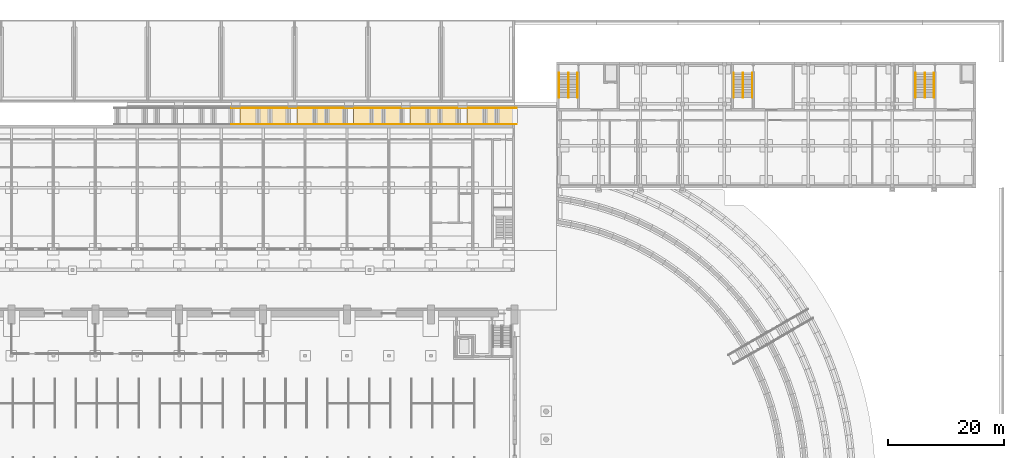
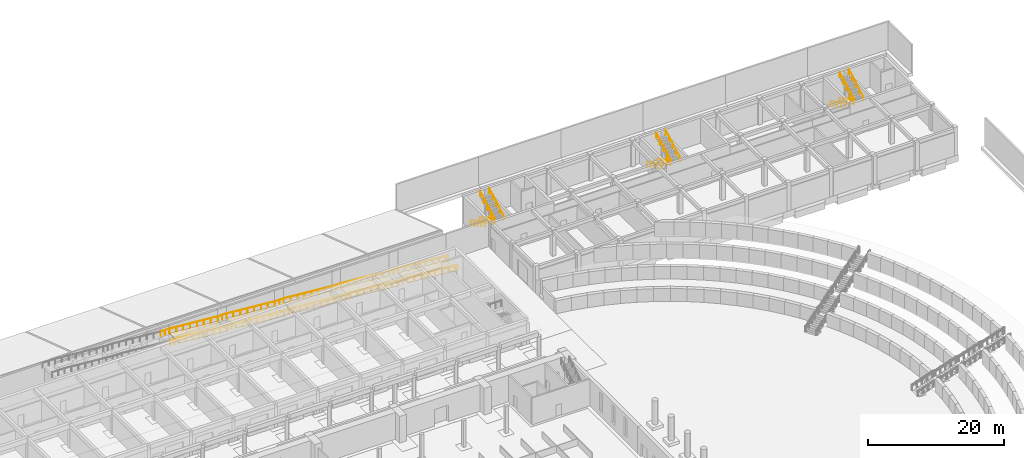
# One storey, part 72 of 73: 22 railings, 5 coverings.
"""IFC4 building model written with IfcOpenShell, lengths in metres."""

import ifcopenshell
import ifcopenshell.guid

model = None  # the IFC model being written
_history = None  # IfcOwnerHistory: only IFC2X3 demands one
_inside = {}  # id of a spatial element -> (the spatial element, [elements in it])
_under = {}  # id of a project, library or spatial element -> (it, [spatial elements below it])
_declared = {}  # id of a project -> (the project, [libraries it declares])
_typed = {}  # id of a type object -> (the type object, [elements of that type])
_made_of = {}  # id of a material, layer set ... -> (it, [elements and type objects made of it])


def new_model(schema):
    """Start an empty IFC model of exactly this schema.

    Asked for "IFC4X3", IfcOpenShell would pick the latest addendum, in which some entities
    have other attributes; the version numbers below select the first issue.
    IFC2X3 requires an IfcOwnerHistory on every rooted entity: one is made here for all.
    """
    global model, _history
    if schema == "IFC4X3":
        model = ifcopenshell.file(schema_version=(4, 3, 0, 0))
    else:
        model = ifcopenshell.file(schema=schema)
    _inside.clear()
    _under.clear()
    _declared.clear()
    _typed.clear()
    _made_of.clear()
    _history = None
    if model.schema == "IFC2X3":
        org = make("IfcOrganization", Name="unknown")
        user = make(
            "IfcPersonAndOrganization",
            ThePerson=make("IfcPerson", FamilyName="unknown"),
            TheOrganization=org,
        )
        app = make(
            "IfcApplication",
            ApplicationDeveloper=org,
            Version="unknown",
            ApplicationFullName="unknown",
            ApplicationIdentifier="unknown",
        )
        _history = make(
            "IfcOwnerHistory",
            OwningUser=user,
            OwningApplication=app,
            ChangeAction="ADDED",
            CreationDate=0,
        )
    return model


def make(cls, **values):
    """One entity of the class cls with the attributes given. An attribute that is None is left unset."""
    return model.create_entity(
        cls, **{name: value for name, value in values.items() if value is not None}
    )


def rooted(cls, **values):
    """An entity with a GlobalId (a new one), such as an element, a storey or a relation."""
    return make(cls, GlobalId=ifcopenshell.guid.new(), OwnerHistory=_history, **values)


def si_unit(unit_type, name, prefix=None):
    """IfcSIUnit, for example si_unit("LENGTHUNIT", "METRE", prefix="MILLI")."""
    return make("IfcSIUnit", UnitType=unit_type, Prefix=prefix, Name=name)


def assignment(units):
    """IfcUnitAssignment: the units of a project."""
    return None if units is None else make("IfcUnitAssignment", Units=units)


def point(xyz):
    """IfcCartesianPoint."""
    return None if xyz is None else make("IfcCartesianPoint", Coordinates=xyz)


def direction(xyz):
    """IfcDirection."""
    return None if xyz is None else make("IfcDirection", DirectionRatios=xyz)


def frame(location, z_axis=None, x_axis=None):
    """IfcAxis2Placement3D, a coordinate frame: its origin and axes. An axis left out is left unset."""
    return make(
        "IfcAxis2Placement3D",
        Location=point(location),
        Axis=direction(z_axis),
        RefDirection=direction(x_axis),
    )


def frame_2d(location, x_axis=None):
    """IfcAxis2Placement2D, a coordinate frame in the plane: its origin and x axis."""
    return make(
        "IfcAxis2Placement2D", Location=point(location), RefDirection=direction(x_axis)
    )


def origin():
    """The frame at (0, 0, 0) with its axes left unset."""
    return frame((0.0, 0.0, 0.0))


def origin_2d():
    """The frame at (0, 0) in the plane with its x axis left unset."""
    return frame_2d((0.0, 0.0))


def place(relative_to, where):
    """IfcLocalPlacement: puts the frame where relative to a parent placement (None: the world)."""
    return make(
        "IfcLocalPlacement", PlacementRelTo=relative_to, RelativePlacement=where
    )


def context(
    kind, dimensions, precision=None, world=None, true_north=None, identifier=None
):
    """IfcGeometricRepresentationContext, for example the 3D "Model" context."""
    return make(
        "IfcGeometricRepresentationContext",
        ContextIdentifier=identifier,
        ContextType=kind,
        CoordinateSpaceDimension=dimensions,
        Precision=precision,
        WorldCoordinateSystem=world,
        TrueNorth=true_north,
    )


def subcontext(parent, identifier, kind, view, scale=None):
    """IfcGeometricRepresentationSubContext, for example "Body" below "Model"."""
    return make(
        "IfcGeometricRepresentationSubContext",
        ContextIdentifier=identifier,
        ContextType=kind,
        ParentContext=parent,
        TargetScale=scale,
        TargetView=view,
    )


def project(units=None, contexts=None):
    """IfcProject with its units and contexts."""
    return rooted(
        "IfcProject",
        Name="project",
        RepresentationContexts=contexts,
        UnitsInContext=assignment(units),
    )


def spatial(cls, under=None, at=None, **own):
    """A site, building, storey or space (cls), placed at a placement, below another one or the project."""
    s = rooted(cls, ObjectPlacement=at, **own)
    if under is not None:
        _under.setdefault(under.id(), (under, []))[1].append(s)
    return s


def polyline(points):
    """IfcPolyline through the points."""
    return make("IfcPolyline", Points=[point(p) for p in points])


def profile(cls, at=None, kind="AREA", **sizes):
    """A parametric profile (cls). Its sizes go by their IFC names, for example OverallWidth=200.0."""
    return make(cls, ProfileType=kind, Position=at, **sizes)


def circle(**sizes):
    """IfcCircleProfileDef."""
    return profile("IfcCircleProfileDef", **sizes)


def outline(outer, holes=None, kind="AREA"):
    """IfcArbitraryClosedProfileDef: a profile drawn as a closed curve; with holes, ...WithVoids."""
    if holes is None:
        return make("IfcArbitraryClosedProfileDef", ProfileType=kind, OuterCurve=outer)
    return make(
        "IfcArbitraryProfileDefWithVoids",
        ProfileType=kind,
        OuterCurve=outer,
        InnerCurves=holes,
    )


def extrude(swept, where, along, depth):
    """IfcExtrudedAreaSolid: the profile swept, set in the frame where, extruded along a direction by depth."""
    return make(
        "IfcExtrudedAreaSolid",
        SweptArea=swept,
        Position=where,
        ExtrudedDirection=direction(along),
        Depth=depth,
    )


def shape(context_of_items, identifier, shape_type, items):
    """IfcShapeRepresentation: the items that make up one representation, for example the "Body"."""
    return make(
        "IfcShapeRepresentation",
        ContextOfItems=context_of_items,
        RepresentationIdentifier=identifier,
        RepresentationType=shape_type,
        Items=items,
    )


def material(Name=None, Category=None):
    """IfcMaterial."""
    return make("IfcMaterial", Name=Name, Category=Category)


def layer(
    of_material, thickness, ventilated=None, Name=None, Category=None, Priority=None
):
    """IfcMaterialLayer: one layer of a wall or slab, of a material (None: an air gap)."""
    return make(
        "IfcMaterialLayer",
        Material=of_material,
        LayerThickness=thickness,
        IsVentilated=ventilated,
        Name=Name,
        Category=Category,
        Priority=Priority,
    )


def layer_set(layers, Name=None):
    """IfcMaterialLayerSet."""
    return make("IfcMaterialLayerSet", MaterialLayers=layers, LayerSetName=Name)


def made_of(thing, what):
    """Note that an element or type object is made of a material, layer set ...; save() writes the relation."""
    if what is not None:
        _made_of.setdefault(what.id(), (what, []))[1].append(thing)
    return thing


def type_object(cls, material=None, **own):
    """A type object (cls), such as IfcWallType, which elements share."""
    return made_of(rooted(cls, **own), material)


def element(
    cls,
    number,
    at=None,
    inside=None,
    cuts=None,
    type_object=None,
    material=None,
    context=None,
    identifier="Body",
    shape_type=None,
    held_by="IfcProductDefinitionShape",
    body=None,
    shapes=None,
    **own,
):
    """One element of the class cls, such as IfcWall. Its Tag is "e" and its number.

    at: its placement. inside: the storey or other place that contains it. cuts: it is an
    opening in that element (IfcRelVoidsElement). A single representation is given by context,
    identifier, shape_type and body (its items); several are given by shapes. held_by: the class
    of the entity that holds the representations. save() writes the other relations.
    """
    e = rooted(cls, Tag="e%d" % number, ObjectPlacement=at, **own)
    if body is not None:
        shapes = [shape(context, identifier, shape_type, body)]
    if shapes is not None:
        e.Representation = make(held_by, Representations=shapes)
    if inside is not None:
        _inside.setdefault(inside.id(), (inside, []))[1].append(e)
    if cuts is not None:
        rooted(
            "IfcRelVoidsElement", RelatingBuildingElement=cuts, RelatedOpeningElement=e
        )
    if type_object is not None:
        _typed.setdefault(type_object.id(), (type_object, []))[1].append(e)
    return made_of(e, material)


def aggregate(whole, parts):
    """IfcRelAggregates: a whole, such as a stair, and the parts it consists of."""
    return rooted("IfcRelAggregates", RelatingObject=whole, RelatedObjects=parts)


def save(model, path):
    """Write the relations noted so far, then the file.

    IfcRelAggregates (storeys below a building ...), IfcRelContainedInSpatialStructure (elements
    in a storey), IfcRelDefinesByType, IfcRelAssociatesMaterial and IfcRelDeclares: one each for
    every whole, place, type object, material and project.
    """
    for whole, parts in _under.values():
        aggregate(whole, parts)
    for where, things in _inside.values():
        rooted(
            "IfcRelContainedInSpatialStructure",
            RelatedElements=things,
            RelatingStructure=where,
        )
    for kind, things in _typed.values():
        rooted("IfcRelDefinesByType", RelatedObjects=things, RelatingType=kind)
    for what, things in _made_of.values():
        rooted("IfcRelAssociatesMaterial", RelatedObjects=things, RelatingMaterial=what)
    for by, libraries in _declared.values():
        rooted("IfcRelDeclares", RelatingContext=by, RelatedDefinitions=libraries)
    model.write(path)


model = new_model("IFC4")

# Units and contexts
model_context = context("Model", 3, precision=1e-05, world=origin(), true_north=direction((0.0, 1.0)))
body_context = subcontext(model_context, "Body", "Model", "MODEL_VIEW")
ifc_project = project(units=[si_unit("LENGTHUNIT", "METRE"), si_unit("AREAUNIT", "SQUARE_METRE"), si_unit("VOLUMEUNIT", "CUBIC_METRE"), si_unit("PLANEANGLEUNIT", "RADIAN"), si_unit("MASSUNIT", "GRAM", prefix="KILO")], contexts=[model_context])

# Site, building, storey
site_placement = place(None, origin())
site = spatial("IfcSite", under=ifc_project, at=site_placement, CompositionType="ELEMENT")
building_placement = place(site_placement, origin())
building = spatial("IfcBuilding", under=site, at=building_placement, Name="Alderwick Market Hall", CompositionType="ELEMENT")
storey_placement = place(building_placement, origin())
storey = spatial("IfcBuildingStorey", under=building, at=storey_placement, Name="LG", CompositionType="ELEMENT", Elevation=0.0)

# Railings
ifc_material_1 = material(Name="Steel ASTM A500 Grade C", Category="steel")
railing_type_1 = type_object("IfcRailingType", Name="F Stair Handrail 900", PredefinedType="HANDRAIL", material=ifc_material_1)
for number, where, name in (
    (1, (158.820068359375, 149.300048828125, 0.14990234375), "F.rail.LG.A.1"),
    (2, (160.3798828125, 149.300048828125, 0.14990234375), "F.rail.LG.A.2"),
):
    element("IfcRailing", number, at=place(storey_placement, frame(where)), inside=storey, type_object=railing_type_1, Name=name, PredefinedType="HANDRAIL", context=body_context, shape_type="SweptSolid", body=[
        extrude(circle(Radius=0.02392578125, at=origin_2d()), frame((0.0, 0.0, 0.8759765625), z_axis=(0.0, -0.881477684796, 0.472225678258), x_axis=(1.0, 0.0, 0.0)), (0.0, 0.0, 1.0), 4.7646484375),
        extrude(circle(Radius=0.02099609375, at=origin_2d()), origin(), (0.0, 0.0, 1.0), 0.851806640625),
        extrude(circle(Radius=0.02099609375, at=origin_2d()), frame((0.0, -1.050048828125, 0.5625)), (0.0, 0.0, 1.0), 0.851806640625),
        extrude(circle(Radius=0.02099609375, at=origin_2d()), frame((0.0, -2.10009765625, 1.125)), (0.0, 0.0, 1.0), 0.851806640625),
        extrude(circle(Radius=0.02099609375, at=origin_2d()), frame((0.0, -3.14990234375, 1.6875)), (0.0, 0.0, 1.0), 0.851806640625),
        extrude(circle(Radius=0.02099609375, at=origin_2d()), frame((0.0, -4.199951171875, 2.25)), (0.0, 0.0, 1.0), 0.851806640625),
    ])
for number, where, name in (
    (3, (160.419921875, 145.10009765625, 2.550048828125), "F.rail.LG.A.3"),
    (4, (161.97998046875, 145.10009765625, 2.550048828125), "F.rail.LG.A.4"),
):
    element("IfcRailing", number, at=place(storey_placement, frame(where)), inside=storey, type_object=railing_type_1, Name=name, PredefinedType="HANDRAIL", context=body_context, shape_type="SweptSolid", body=[
        extrude(circle(Radius=0.02392578125, at=origin_2d()), frame((0.0, 0.0, 0.8759765625), z_axis=(0.0, 0.881477684796, 0.472225678258), x_axis=(-1.0, 0.0, 0.0)), (0.0, 0.0, 1.0), 4.7646484375),
        extrude(circle(Radius=0.02099609375, at=origin_2d()), origin(), (0.0, 0.0, 1.0), 0.851806640625),
        extrude(circle(Radius=0.02099609375, at=origin_2d()), frame((0.0, 1.050048828125, 0.5625)), (0.0, 0.0, 1.0), 0.851806640625),
        extrude(circle(Radius=0.02099609375, at=origin_2d()), frame((0.0, 2.10009765625, 1.125)), (0.0, 0.0, 1.0), 0.851806640625),
        extrude(circle(Radius=0.02099609375, at=origin_2d()), frame((0.0, 3.14990234375, 1.6875)), (0.0, 0.0, 1.0), 0.851806640625),
        extrude(circle(Radius=0.02099609375, at=origin_2d()), frame((0.0, 4.199951171875, 2.25)), (0.0, 0.0, 1.0), 0.851806640625),
    ])
for number, where, name in (
    (5, (188.820068359375, 149.300048828125, 0.14990234375), "F.rail.LG.B.1"),
    (6, (190.3798828125, 149.300048828125, 0.14990234375), "F.rail.LG.B.2"),
):
    element("IfcRailing", number, at=place(storey_placement, frame(where)), inside=storey, type_object=railing_type_1, Name=name, PredefinedType="HANDRAIL", context=body_context, shape_type="SweptSolid", body=[
        extrude(circle(Radius=0.02392578125, at=origin_2d()), frame((0.0, 0.0, 0.8759765625), z_axis=(0.0, -0.881477684796, 0.472225678258), x_axis=(1.0, 0.0, 0.0)), (0.0, 0.0, 1.0), 4.7646484375),
        extrude(circle(Radius=0.02099609375, at=origin_2d()), origin(), (0.0, 0.0, 1.0), 0.851806640625),
        extrude(circle(Radius=0.02099609375, at=origin_2d()), frame((0.0, -1.050048828125, 0.5625)), (0.0, 0.0, 1.0), 0.851806640625),
        extrude(circle(Radius=0.02099609375, at=origin_2d()), frame((0.0, -2.10009765625, 1.125)), (0.0, 0.0, 1.0), 0.851806640625),
        extrude(circle(Radius=0.02099609375, at=origin_2d()), frame((0.0, -3.14990234375, 1.6875)), (0.0, 0.0, 1.0), 0.851806640625),
        extrude(circle(Radius=0.02099609375, at=origin_2d()), frame((0.0, -4.199951171875, 2.25)), (0.0, 0.0, 1.0), 0.851806640625),
    ])
for number, where, name in (
    (7, (190.419921875, 145.10009765625, 2.550048828125), "F.rail.LG.B.3"),
    (8, (191.97998046875, 145.10009765625, 2.550048828125), "F.rail.LG.B.4"),
):
    element("IfcRailing", number, at=place(storey_placement, frame(where)), inside=storey, type_object=railing_type_1, Name=name, PredefinedType="HANDRAIL", context=body_context, shape_type="SweptSolid", body=[
        extrude(circle(Radius=0.02392578125, at=origin_2d()), frame((0.0, 0.0, 0.8759765625), z_axis=(0.0, 0.881477684796, 0.472225678258), x_axis=(-1.0, 0.0, 0.0)), (0.0, 0.0, 1.0), 4.7646484375),
        extrude(circle(Radius=0.02099609375, at=origin_2d()), origin(), (0.0, 0.0, 1.0), 0.851806640625),
        extrude(circle(Radius=0.02099609375, at=origin_2d()), frame((0.0, 1.050048828125, 0.5625)), (0.0, 0.0, 1.0), 0.851806640625),
        extrude(circle(Radius=0.02099609375, at=origin_2d()), frame((0.0, 2.10009765625, 1.125)), (0.0, 0.0, 1.0), 0.851806640625),
        extrude(circle(Radius=0.02099609375, at=origin_2d()), frame((0.0, 3.14990234375, 1.6875)), (0.0, 0.0, 1.0), 0.851806640625),
        extrude(circle(Radius=0.02099609375, at=origin_2d()), frame((0.0, 4.199951171875, 2.25)), (0.0, 0.0, 1.0), 0.851806640625),
    ])
for number, where, name in (
    (9, (220.02001953125, 149.300048828125, 0.14990234375), "F.rail.LG.C.1"),
    (10, (221.580078125, 149.300048828125, 0.14990234375), "F.rail.LG.C.2"),
):
    element("IfcRailing", number, at=place(storey_placement, frame(where)), inside=storey, type_object=railing_type_1, Name=name, PredefinedType="HANDRAIL", context=body_context, shape_type="SweptSolid", body=[
        extrude(circle(Radius=0.02392578125, at=origin_2d()), frame((0.0, 0.0, 0.8759765625), z_axis=(0.0, -0.881477684796, 0.472225678258), x_axis=(1.0, 0.0, 0.0)), (0.0, 0.0, 1.0), 4.7646484375),
        extrude(circle(Radius=0.02099609375, at=origin_2d()), origin(), (0.0, 0.0, 1.0), 0.851806640625),
        extrude(circle(Radius=0.02099609375, at=origin_2d()), frame((0.0, -1.050048828125, 0.5625)), (0.0, 0.0, 1.0), 0.851806640625),
        extrude(circle(Radius=0.02099609375, at=origin_2d()), frame((0.0, -2.10009765625, 1.125)), (0.0, 0.0, 1.0), 0.851806640625),
        extrude(circle(Radius=0.02099609375, at=origin_2d()), frame((0.0, -3.14990234375, 1.6875)), (0.0, 0.0, 1.0), 0.851806640625),
        extrude(circle(Radius=0.02099609375, at=origin_2d()), frame((0.0, -4.199951171875, 2.25)), (0.0, 0.0, 1.0), 0.851806640625),
    ])
for number, where, name in (
    (11, (221.6201171875, 145.10009765625, 2.550048828125), "F.rail.LG.C.3"),
    (12, (223.179931640625, 145.10009765625, 2.550048828125), "F.rail.LG.C.4"),
):
    element("IfcRailing", number, at=place(storey_placement, frame(where)), inside=storey, type_object=railing_type_1, Name=name, PredefinedType="HANDRAIL", context=body_context, shape_type="SweptSolid", body=[
        extrude(circle(Radius=0.02392578125, at=origin_2d()), frame((0.0, 0.0, 0.8759765625), z_axis=(0.0, 0.881477684796, 0.472225678258), x_axis=(-1.0, 0.0, 0.0)), (0.0, 0.0, 1.0), 4.7646484375),
        extrude(circle(Radius=0.02099609375, at=origin_2d()), origin(), (0.0, 0.0, 1.0), 0.851806640625),
        extrude(circle(Radius=0.02099609375, at=origin_2d()), frame((0.0, 1.050048828125, 0.5625)), (0.0, 0.0, 1.0), 0.851806640625),
        extrude(circle(Radius=0.02099609375, at=origin_2d()), frame((0.0, 2.10009765625, 1.125)), (0.0, 0.0, 1.0), 0.851806640625),
        extrude(circle(Radius=0.02099609375, at=origin_2d()), frame((0.0, 3.14990234375, 1.6875)), (0.0, 0.0, 1.0), 0.851806640625),
        extrude(circle(Radius=0.02099609375, at=origin_2d()), frame((0.0, 4.199951171875, 2.25)), (0.0, 0.0, 1.0), 0.851806640625),
    ])
railing_type_2 = type_object("IfcRailingType", Name="S Handrail 900", PredefinedType="HANDRAIL", material=ifc_material_1)
railing_1_placement = place(storey_placement, frame((151.5048828125, 143.300048828125, 0.030029296875)))
element("IfcRailing", 13, at=railing_1_placement, inside=storey, type_object=railing_type_2, Name="Ramp N1 handrail L", PredefinedType="HANDRAIL", context=body_context, shape_type="SweptSolid", body=[
    extrude(circle(Radius=0.02490234375, at=origin_2d()), frame((0.0, 0.0, 0.875), z_axis=(-1.0, 0.0, 0.0), x_axis=(0.0, -1.0, 0.0)), (0.0, 0.0, 1.0), 0.304931640625),
    extrude(circle(Radius=0.02490234375, at=origin_2d()), frame((-0.304931640625, 0.0, 0.875), z_axis=(-0.996545350429, 0.0, 0.083050373505), x_axis=(0.0, -1.0, 0.0)), (0.0, 0.0, 1.0), 8.257568359375),
    extrude(circle(Radius=0.02490234375, at=origin_2d()), frame((-8.533935546875, 0.0, 1.560546875), z_axis=(-1.0, 0.0, 0.0), x_axis=(0.0, -1.0, 0.0)), (0.0, 0.0, 1.0), 1.5),
    extrude(circle(Radius=0.02001953125, at=origin_2d()), origin(), (0.0, 0.0, 1.0), 0.849853515625),
    extrude(circle(Radius=0.02001953125, at=origin_2d()), frame((-0.304931640625, 0.0, 0.0)), (0.0, 0.0, 1.0), 0.849853515625),
    extrude(circle(Radius=0.02001953125, at=origin_2d()), frame((-1.48046875, 0.0, 0.097900390625)), (0.0, 0.0, 1.0), 0.849853515625),
    extrude(circle(Radius=0.02001953125, at=origin_2d()), frame((-2.656005859375, 0.0, 0.196044921875)), (0.0, 0.0, 1.0), 0.849853515625),
    extrude(circle(Radius=0.02001953125, at=origin_2d()), frame((-3.83154296875, 0.0, 0.2939453125)), (0.0, 0.0, 1.0), 0.849853515625),
    extrude(circle(Radius=0.02001953125, at=origin_2d()), frame((-5.00732421875, 0.0, 0.391845703125)), (0.0, 0.0, 1.0), 0.849853515625),
    extrude(circle(Radius=0.02001953125, at=origin_2d()), frame((-6.182861328125, 0.0, 0.48974609375)), (0.0, 0.0, 1.0), 0.849853515625),
    extrude(circle(Radius=0.02001953125, at=origin_2d()), frame((-7.3583984375, 0.0, 0.587890625)), (0.0, 0.0, 1.0), 0.849853515625),
    extrude(circle(Radius=0.02001953125, at=origin_2d()), frame((-8.533935546875, 0.0, 0.685791015625)), (0.0, 0.0, 1.0), 0.849853515625),
    extrude(circle(Radius=0.02001953125, at=origin_2d()), frame((-9.283935546875, 0.0, 0.685791015625)), (0.0, 0.0, 1.0), 0.849853515625),
    extrude(circle(Radius=0.02001953125, at=origin_2d()), frame((-10.033935546875, 0.0, 0.685791015625)), (0.0, 0.0, 1.0), 0.849853515625),
])
railing_2_placement = place(storey_placement, frame((151.5048828125, 140.5, 0.030029296875)))
element("IfcRailing", 14, at=railing_2_placement, inside=storey, type_object=railing_type_2, Name="Ramp N1 handrail R", PredefinedType="HANDRAIL", context=body_context, shape_type="SweptSolid", body=[
    extrude(circle(Radius=0.02490234375, at=origin_2d()), frame((0.0, 0.0, 0.875), z_axis=(-1.0, 0.0, 0.0), x_axis=(0.0, -1.0, 0.0)), (0.0, 0.0, 1.0), 0.304931640625),
    extrude(circle(Radius=0.02490234375, at=origin_2d()), frame((-0.304931640625, 0.0, 0.875), z_axis=(-0.996545350429, 0.0, 0.083050373505), x_axis=(0.0, -1.0, 0.0)), (0.0, 0.0, 1.0), 8.257568359375),
    extrude(circle(Radius=0.02490234375, at=origin_2d()), frame((-8.533935546875, 0.0, 1.560546875), z_axis=(-1.0, 0.0, 0.0), x_axis=(0.0, -1.0, 0.0)), (0.0, 0.0, 1.0), 1.5),
    extrude(circle(Radius=0.02001953125, at=origin_2d()), origin(), (0.0, 0.0, 1.0), 0.849853515625),
    extrude(circle(Radius=0.02001953125, at=origin_2d()), frame((-0.304931640625, 0.0, 0.0)), (0.0, 0.0, 1.0), 0.849853515625),
    extrude(circle(Radius=0.02001953125, at=origin_2d()), frame((-1.48046875, 0.0, 0.097900390625)), (0.0, 0.0, 1.0), 0.849853515625),
    extrude(circle(Radius=0.02001953125, at=origin_2d()), frame((-2.656005859375, 0.0, 0.196044921875)), (0.0, 0.0, 1.0), 0.849853515625),
    extrude(circle(Radius=0.02001953125, at=origin_2d()), frame((-3.83154296875, 0.0, 0.2939453125)), (0.0, 0.0, 1.0), 0.849853515625),
    extrude(circle(Radius=0.02001953125, at=origin_2d()), frame((-5.00732421875, 0.0, 0.391845703125)), (0.0, 0.0, 1.0), 0.849853515625),
    extrude(circle(Radius=0.02001953125, at=origin_2d()), frame((-6.182861328125, 0.0, 0.48974609375)), (0.0, 0.0, 1.0), 0.849853515625),
    extrude(circle(Radius=0.02001953125, at=origin_2d()), frame((-7.3583984375, 0.0, 0.587890625)), (0.0, 0.0, 1.0), 0.849853515625),
    extrude(circle(Radius=0.02001953125, at=origin_2d()), frame((-8.533935546875, 0.0, 0.685791015625)), (0.0, 0.0, 1.0), 0.849853515625),
    extrude(circle(Radius=0.02001953125, at=origin_2d()), frame((-9.283935546875, 0.0, 0.685791015625)), (0.0, 0.0, 1.0), 0.849853515625),
    extrude(circle(Radius=0.02001953125, at=origin_2d()), frame((-10.033935546875, 0.0, 0.685791015625)), (0.0, 0.0, 1.0), 0.849853515625),
])
for number, where, name in (
    (15, (141.470947265625, 143.300048828125, 0.7158203125), "Ramp N2 handrail L"),
    (16, (141.470947265625, 140.5, 0.7158203125), "Ramp N2 handrail R"),
):
    element("IfcRailing", number, at=place(storey_placement, frame(where)), inside=storey, type_object=railing_type_2, Name=name, PredefinedType="HANDRAIL", context=body_context, shape_type="SweptSolid", body=[
        extrude(circle(Radius=0.02490234375, at=origin_2d()), frame((0.0, 0.0, 0.875), z_axis=(-0.996546981697, 0.0, 0.083030797122), x_axis=(0.0, -1.0, 0.0)), (0.0, 0.0, 1.0), 8.256591796875),
        extrude(circle(Radius=0.02490234375, at=origin_2d()), frame((-8.22802734375, 0.0, 1.560546875), z_axis=(-1.0, 0.0, 0.0), x_axis=(0.0, -1.0, 0.0)), (0.0, 0.0, 1.0), 1.5),
        extrude(circle(Radius=0.02001953125, at=origin_2d()), origin(), (0.0, 0.0, 1.0), 0.849853515625),
        extrude(circle(Radius=0.02001953125, at=origin_2d()), frame((-1.175537109375, 0.0, 0.097900390625)), (0.0, 0.0, 1.0), 0.849853515625),
        extrude(circle(Radius=0.02001953125, at=origin_2d()), frame((-2.350830078125, 0.0, 0.19580078125)), (0.0, 0.0, 1.0), 0.849853515625),
        extrude(circle(Radius=0.02001953125, at=origin_2d()), frame((-3.5263671875, 0.0, 0.293701171875)), (0.0, 0.0, 1.0), 0.849853515625),
        extrude(circle(Radius=0.02001953125, at=origin_2d()), frame((-4.70166015625, 0.0, 0.391845703125)), (0.0, 0.0, 1.0), 0.849853515625),
        extrude(circle(Radius=0.02001953125, at=origin_2d()), frame((-5.877197265625, 0.0, 0.48974609375)), (0.0, 0.0, 1.0), 0.849853515625),
        extrude(circle(Radius=0.02001953125, at=origin_2d()), frame((-7.052490234375, 0.0, 0.587646484375)), (0.0, 0.0, 1.0), 0.849853515625),
        extrude(circle(Radius=0.02001953125, at=origin_2d()), frame((-8.22802734375, 0.0, 0.685546875)), (0.0, 0.0, 1.0), 0.849853515625),
        extrude(circle(Radius=0.02001953125, at=origin_2d()), frame((-8.97802734375, 0.0, 0.685546875)), (0.0, 0.0, 1.0), 0.849853515625),
        extrude(circle(Radius=0.02001953125, at=origin_2d()), frame((-9.72802734375, 0.0, 0.685546875)), (0.0, 0.0, 1.0), 0.849853515625),
    ])
for number, where, name in (
    (17, (131.742919921875, 143.300048828125, 1.4013671875), "Ramp N3 handrail L"),
    (18, (131.742919921875, 140.5, 1.4013671875), "Ramp N3 handrail R"),
):
    element("IfcRailing", number, at=place(storey_placement, frame(where)), inside=storey, type_object=railing_type_2, Name=name, PredefinedType="HANDRAIL", context=body_context, shape_type="SweptSolid", body=[
        extrude(circle(Radius=0.02490234375, at=origin_2d()), frame((0.0, 0.0, 0.875), z_axis=(-0.996545350429, 0.0, 0.083050373505), x_axis=(0.0, -1.0, 0.0)), (0.0, 0.0, 1.0), 8.257568359375),
        extrude(circle(Radius=0.02490234375, at=origin_2d()), frame((-8.22900390625, 0.0, 1.560546875), z_axis=(-1.0, 0.0, 0.0), x_axis=(0.0, -1.0, 0.0)), (0.0, 0.0, 1.0), 1.5),
        extrude(circle(Radius=0.02001953125, at=origin_2d()), origin(), (0.0, 0.0, 1.0), 0.849853515625),
        extrude(circle(Radius=0.02001953125, at=origin_2d()), frame((-1.175537109375, 0.0, 0.097900390625)), (0.0, 0.0, 1.0), 0.849853515625),
        extrude(circle(Radius=0.02001953125, at=origin_2d()), frame((-2.35107421875, 0.0, 0.196044921875)), (0.0, 0.0, 1.0), 0.849853515625),
        extrude(circle(Radius=0.02001953125, at=origin_2d()), frame((-3.526611328125, 0.0, 0.2939453125)), (0.0, 0.0, 1.0), 0.849853515625),
        extrude(circle(Radius=0.02001953125, at=origin_2d()), frame((-4.702392578125, 0.0, 0.391845703125)), (0.0, 0.0, 1.0), 0.849853515625),
        extrude(circle(Radius=0.02001953125, at=origin_2d()), frame((-5.8779296875, 0.0, 0.48974609375)), (0.0, 0.0, 1.0), 0.849853515625),
        extrude(circle(Radius=0.02001953125, at=origin_2d()), frame((-7.053466796875, 0.0, 0.587890625)), (0.0, 0.0, 1.0), 0.849853515625),
        extrude(circle(Radius=0.02001953125, at=origin_2d()), frame((-8.22900390625, 0.0, 0.685791015625)), (0.0, 0.0, 1.0), 0.849853515625),
        extrude(circle(Radius=0.02001953125, at=origin_2d()), frame((-8.97900390625, 0.0, 0.685791015625)), (0.0, 0.0, 1.0), 0.849853515625),
        extrude(circle(Radius=0.02001953125, at=origin_2d()), frame((-9.72900390625, 0.0, 0.685791015625)), (0.0, 0.0, 1.0), 0.849853515625),
    ])
for number, where, name in (
    (19, (122.013916015625, 143.300048828125, 2.087158203125), "Ramp N4 handrail L"),
    (20, (122.013916015625, 140.5, 2.087158203125), "Ramp N4 handrail R"),
):
    element("IfcRailing", number, at=place(storey_placement, frame(where)), inside=storey, type_object=railing_type_2, Name=name, PredefinedType="HANDRAIL", context=body_context, shape_type="SweptSolid", body=[
        extrude(circle(Radius=0.02490234375, at=origin_2d()), frame((0.0, 0.0, 0.875), z_axis=(-0.996544534579, 0.0, 0.083060162531), x_axis=(0.0, -1.0, 0.0)), (0.0, 0.0, 1.0), 8.256591796875),
        extrude(circle(Radius=0.02490234375, at=origin_2d()), frame((-8.22802734375, 0.0, 1.560546875), z_axis=(-1.0, 0.0, 0.0), x_axis=(0.0, -1.0, 0.0)), (0.0, 0.0, 1.0), 1.5),
        extrude(circle(Radius=0.02001953125, at=origin_2d()), origin(), (0.0, 0.0, 1.0), 0.849853515625),
        extrude(circle(Radius=0.02001953125, at=origin_2d()), frame((-1.175537109375, 0.0, 0.097900390625)), (0.0, 0.0, 1.0), 0.849853515625),
        extrude(circle(Radius=0.02001953125, at=origin_2d()), frame((-2.350830078125, 0.0, 0.196044921875)), (0.0, 0.0, 1.0), 0.849853515625),
        extrude(circle(Radius=0.02001953125, at=origin_2d()), frame((-3.5263671875, 0.0, 0.2939453125)), (0.0, 0.0, 1.0), 0.849853515625),
        extrude(circle(Radius=0.02001953125, at=origin_2d()), frame((-4.70166015625, 0.0, 0.391845703125)), (0.0, 0.0, 1.0), 0.849853515625),
        extrude(circle(Radius=0.02001953125, at=origin_2d()), frame((-5.877197265625, 0.0, 0.48974609375)), (0.0, 0.0, 1.0), 0.849853515625),
        extrude(circle(Radius=0.02001953125, at=origin_2d()), frame((-7.052490234375, 0.0, 0.587890625)), (0.0, 0.0, 1.0), 0.849853515625),
        extrude(circle(Radius=0.02001953125, at=origin_2d()), frame((-8.22802734375, 0.0, 0.685791015625)), (0.0, 0.0, 1.0), 0.849853515625),
        extrude(circle(Radius=0.02001953125, at=origin_2d()), frame((-8.97802734375, 0.0, 0.685791015625)), (0.0, 0.0, 1.0), 0.849853515625),
        extrude(circle(Radius=0.02001953125, at=origin_2d()), frame((-9.72802734375, 0.0, 0.685791015625)), (0.0, 0.0, 1.0), 0.849853515625),
    ])
for number, where, name in (
    (21, (112.285888671875, 143.300048828125, 2.77294921875), "Ramp N5 handrail L"),
    (22, (112.285888671875, 140.5, 2.77294921875), "Ramp N5 handrail R"),
):
    element("IfcRailing", number, at=place(storey_placement, frame(where)), inside=storey, type_object=railing_type_2, Name=name, PredefinedType="HANDRAIL", context=body_context, shape_type="SweptSolid", body=[
        extrude(circle(Radius=0.02490234375, at=origin_2d()), frame((0.0, 0.0, 0.875), z_axis=(-0.996547796971, 0.0, 0.083021011508), x_axis=(0.0, -1.0, 0.0)), (0.0, 0.0, 1.0), 8.257568359375),
        extrude(circle(Radius=0.02490234375, at=origin_2d()), frame((-8.22900390625, 0.0, 1.560546875), z_axis=(-1.0, 0.0, 0.0), x_axis=(0.0, -1.0, 0.0)), (0.0, 0.0, 1.0), 1.5),
        extrude(circle(Radius=0.02001953125, at=origin_2d()), origin(), (0.0, 0.0, 1.0), 0.849853515625),
        extrude(circle(Radius=0.02001953125, at=origin_2d()), frame((-1.175537109375, 0.0, 0.097900390625)), (0.0, 0.0, 1.0), 0.849853515625),
        extrude(circle(Radius=0.02001953125, at=origin_2d()), frame((-2.35107421875, 0.0, 0.19580078125)), (0.0, 0.0, 1.0), 0.849853515625),
        extrude(circle(Radius=0.02001953125, at=origin_2d()), frame((-3.526611328125, 0.0, 0.293701171875)), (0.0, 0.0, 1.0), 0.849853515625),
        extrude(circle(Radius=0.02001953125, at=origin_2d()), frame((-4.702392578125, 0.0, 0.391845703125)), (0.0, 0.0, 1.0), 0.849853515625),
        extrude(circle(Radius=0.02001953125, at=origin_2d()), frame((-5.8779296875, 0.0, 0.48974609375)), (0.0, 0.0, 1.0), 0.849853515625),
        extrude(circle(Radius=0.02001953125, at=origin_2d()), frame((-7.053466796875, 0.0, 0.587646484375)), (0.0, 0.0, 1.0), 0.849853515625),
        extrude(circle(Radius=0.02001953125, at=origin_2d()), frame((-8.22900390625, 0.0, 0.685546875)), (0.0, 0.0, 1.0), 0.849853515625),
        extrude(circle(Radius=0.02001953125, at=origin_2d()), frame((-8.97900390625, 0.0, 0.685546875)), (0.0, 0.0, 1.0), 0.849853515625),
        extrude(circle(Radius=0.02001953125, at=origin_2d()), frame((-9.72900390625, 0.0, 0.685546875)), (0.0, 0.0, 1.0), 0.849853515625),
    ])

# Coverings
ifc_material_2 = material(Name="Non-slip surfacing on concrete", Category="concrete")
ifc_layer = layer(ifc_material_2, 0.030029296875)
ifc_layer_set = layer_set([ifc_layer], Name="Non-slip surfacing on concrete")
covering_type = type_object("IfcCoveringType", Name="S Ramp Surfacing 30", PredefinedType="USERDEFINED", material=ifc_layer_set)
covering_1_placement = place(storey_placement, frame((151.199951171875, 140.39990234375, 0.030029296875), z_axis=(0.083050373505, 0.0, 0.996545350429), x_axis=(-0.996545350429, 0.0, 0.083050373505)))
element("IfcCovering", 23, at=covering_1_placement, inside=storey, type_object=covering_type, Name="Ramp surfacing N1", ObjectType="RAMP SURFACING", PredefinedType="USERDEFINED", context=body_context, shape_type="SweptSolid", body=[
    extrude(outline(polyline([(0.0, 0.0), (8.257530781425507, 0.0), (8.257530781425507, -3.0), (0.0, -3.0), (0.0, 0.0)])), origin(), (0.0, 0.0, -1.0), 0.030029296875),
])
covering_2_placement = place(storey_placement, frame((141.470947265625, 140.39990234375, 0.7158203125), z_axis=(0.083060162531, 0.0, 0.996544534579), x_axis=(-0.996544534579, 0.0, 0.083060162531)))
element("IfcCovering", 24, at=covering_2_placement, inside=storey, type_object=covering_type, Name="Ramp surfacing N2", ObjectType="RAMP SURFACING", PredefinedType="USERDEFINED", context=body_context, shape_type="SweptSolid", body=[
    extrude(outline(polyline([(0.0, 0.0), (8.25655759300507, 0.0), (8.25655759300507, -3.0), (0.0, -3.0), (0.0, 0.0)])), origin(), (0.0, 0.0, -1.0), 0.030029296875),
])
covering_3_placement = place(storey_placement, frame((131.742919921875, 140.39990234375, 1.401611328125), z_axis=(0.083021011508, 0.0, 0.996547796971), x_axis=(-0.996547796971, 0.0, 0.083021011508)))
element("IfcCovering", 25, at=covering_3_placement, inside=storey, type_object=covering_type, Name="Ramp surfacing N3", ObjectType="RAMP SURFACING", PredefinedType="USERDEFINED", context=body_context, shape_type="SweptSolid", body=[
    extrude(outline(polyline([(0.0, 0.0), (8.257510509039637, 0.0), (8.257510509039637, -3.0), (0.0, -3.0), (0.0, 0.0)])), origin(), (0.0, 0.0, -1.0), 0.030029296875),
])
covering_4_placement = place(storey_placement, frame((122.013916015625, 140.39990234375, 2.087158203125), z_axis=(0.083060162531, 0.0, 0.996544534579), x_axis=(-0.996544534579, 0.0, 0.083060162531)))
element("IfcCovering", 26, at=covering_4_placement, inside=storey, type_object=covering_type, Name="Ramp surfacing N4", ObjectType="RAMP SURFACING", PredefinedType="USERDEFINED", context=body_context, shape_type="SweptSolid", body=[
    extrude(outline(polyline([(0.0, 0.0), (8.25655759300507, 0.0), (8.25655759300507, -3.0), (0.0, -3.0), (0.0, 0.0)])), origin(), (0.0, 0.0, -1.0), 0.030029296875),
])
covering_5_placement = place(storey_placement, frame((112.285888671875, 140.39990234375, 2.77294921875), z_axis=(0.083050373505, 0.0, 0.996545350429), x_axis=(-0.996545350429, 0.0, 0.083050373505)))
element("IfcCovering", 27, at=covering_5_placement, inside=storey, type_object=covering_type, Name="Ramp surfacing N5", ObjectType="RAMP SURFACING", PredefinedType="USERDEFINED", context=body_context, shape_type="SweptSolid", body=[
    extrude(outline(polyline([(0.0, 0.0), (8.257530781425507, 0.0), (8.257530781425507, -3.0), (0.0, -3.0), (0.0, 0.0)])), origin(), (0.0, 0.0, -1.0), 0.030029296875),
])

save(model, "model.ifc")
